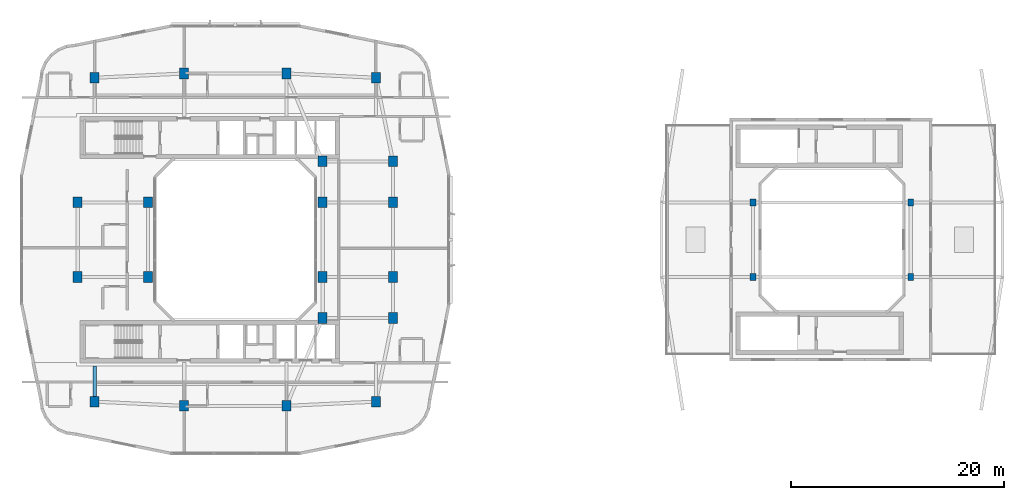
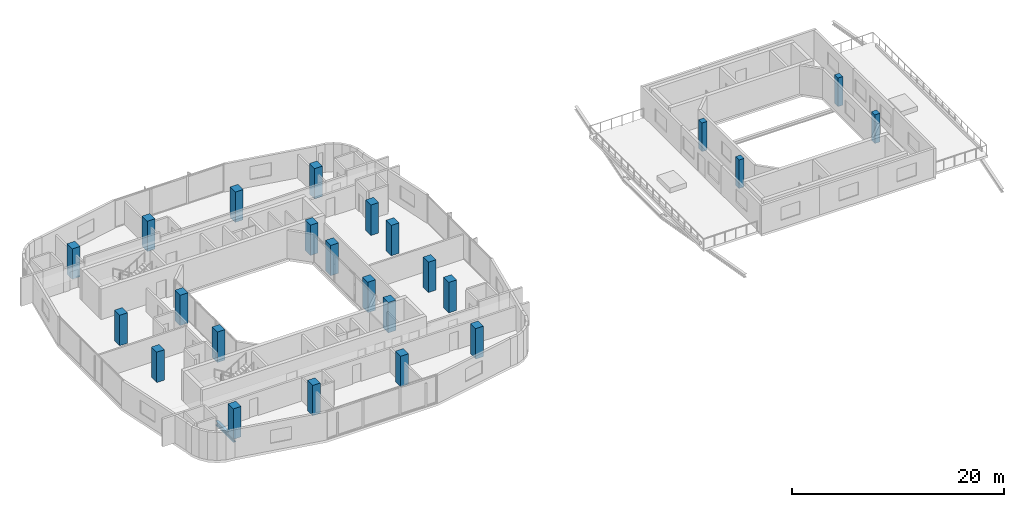
# One storey, part 1 of 18: 24 columns, 1 beam.
"""IFC4 building model written with IfcOpenShell, lengths in metres."""

import ifcopenshell
import ifcopenshell.guid

model = None  # the IFC model being written
_history = None  # IfcOwnerHistory: only IFC2X3 demands one
_inside = {}  # id of a spatial element -> (the spatial element, [elements in it])
_under = {}  # id of a project, library or spatial element -> (it, [spatial elements below it])
_declared = {}  # id of a project -> (the project, [libraries it declares])
_typed = {}  # id of a type object -> (the type object, [elements of that type])
_made_of = {}  # id of a material, layer set ... -> (it, [elements and type objects made of it])


def new_model(schema):
    """Start an empty IFC model of exactly this schema.

    Asked for "IFC4X3", IfcOpenShell would pick the latest addendum, in which some entities
    have other attributes; the version numbers below select the first issue.
    IFC2X3 requires an IfcOwnerHistory on every rooted entity: one is made here for all.
    """
    global model, _history
    if schema == "IFC4X3":
        model = ifcopenshell.file(schema_version=(4, 3, 0, 0))
    else:
        model = ifcopenshell.file(schema=schema)
    _inside.clear()
    _under.clear()
    _declared.clear()
    _typed.clear()
    _made_of.clear()
    _history = None
    if model.schema == "IFC2X3":
        org = make("IfcOrganization", Name="unknown")
        user = make(
            "IfcPersonAndOrganization",
            ThePerson=make("IfcPerson", FamilyName="unknown"),
            TheOrganization=org,
        )
        app = make(
            "IfcApplication",
            ApplicationDeveloper=org,
            Version="unknown",
            ApplicationFullName="unknown",
            ApplicationIdentifier="unknown",
        )
        _history = make(
            "IfcOwnerHistory",
            OwningUser=user,
            OwningApplication=app,
            ChangeAction="ADDED",
            CreationDate=0,
        )
    return model


def make(cls, **values):
    """One entity of the class cls with the attributes given. An attribute that is None is left unset."""
    return model.create_entity(
        cls, **{name: value for name, value in values.items() if value is not None}
    )


def rooted(cls, **values):
    """An entity with a GlobalId (a new one), such as an element, a storey or a relation."""
    return make(cls, GlobalId=ifcopenshell.guid.new(), OwnerHistory=_history, **values)


def si_unit(unit_type, name, prefix=None):
    """IfcSIUnit, for example si_unit("LENGTHUNIT", "METRE", prefix="MILLI")."""
    return make("IfcSIUnit", UnitType=unit_type, Prefix=prefix, Name=name)


def derived_unit(unit_type, elements):
    """IfcDerivedUnit: a product of units, each with its exponent."""
    return make(
        "IfcDerivedUnit",
        Elements=[
            make("IfcDerivedUnitElement", Unit=unit, Exponent=power)
            for unit, power in elements
        ],
        UnitType=unit_type,
    )


def assignment(units):
    """IfcUnitAssignment: the units of a project."""
    return None if units is None else make("IfcUnitAssignment", Units=units)


def point(xyz):
    """IfcCartesianPoint."""
    return None if xyz is None else make("IfcCartesianPoint", Coordinates=xyz)


def direction(xyz):
    """IfcDirection."""
    return None if xyz is None else make("IfcDirection", DirectionRatios=xyz)


def frame(location, z_axis=None, x_axis=None):
    """IfcAxis2Placement3D, a coordinate frame: its origin and axes. An axis left out is left unset."""
    return make(
        "IfcAxis2Placement3D",
        Location=point(location),
        Axis=direction(z_axis),
        RefDirection=direction(x_axis),
    )


def frame_2d(location, x_axis=None):
    """IfcAxis2Placement2D, a coordinate frame in the plane: its origin and x axis."""
    return make(
        "IfcAxis2Placement2D", Location=point(location), RefDirection=direction(x_axis)
    )


def origin():
    """The frame at (0, 0, 0) with its axes left unset."""
    return frame((0.0, 0.0, 0.0))


def origin_2d():
    """The frame at (0, 0) in the plane with its x axis left unset."""
    return frame_2d((0.0, 0.0))


def place(relative_to, where):
    """IfcLocalPlacement: puts the frame where relative to a parent placement (None: the world)."""
    return make(
        "IfcLocalPlacement", PlacementRelTo=relative_to, RelativePlacement=where
    )


def context(
    kind, dimensions, precision=None, world=None, true_north=None, identifier=None
):
    """IfcGeometricRepresentationContext, for example the 3D "Model" context."""
    return make(
        "IfcGeometricRepresentationContext",
        ContextIdentifier=identifier,
        ContextType=kind,
        CoordinateSpaceDimension=dimensions,
        Precision=precision,
        WorldCoordinateSystem=world,
        TrueNorth=true_north,
    )


def subcontext(parent, identifier, kind, view, scale=None):
    """IfcGeometricRepresentationSubContext, for example "Body" below "Model"."""
    return make(
        "IfcGeometricRepresentationSubContext",
        ContextIdentifier=identifier,
        ContextType=kind,
        ParentContext=parent,
        TargetScale=scale,
        TargetView=view,
    )


def project(units=None, contexts=None):
    """IfcProject with its units and contexts."""
    return rooted(
        "IfcProject",
        Name="project",
        RepresentationContexts=contexts,
        UnitsInContext=assignment(units),
    )


def spatial(cls, under=None, at=None, **own):
    """A site, building, storey or space (cls), placed at a placement, below another one or the project."""
    s = rooted(cls, ObjectPlacement=at, **own)
    if under is not None:
        _under.setdefault(under.id(), (under, []))[1].append(s)
    return s


def profile(cls, at=None, kind="AREA", **sizes):
    """A parametric profile (cls). Its sizes go by their IFC names, for example OverallWidth=200.0."""
    return make(cls, ProfileType=kind, Position=at, **sizes)


def rectangle(**sizes):
    """IfcRectangleProfileDef."""
    return profile("IfcRectangleProfileDef", **sizes)


def i_section(**sizes):
    """IfcIShapeProfileDef."""
    return profile("IfcIShapeProfileDef", **sizes)


def extrude(swept, where, along, depth):
    """IfcExtrudedAreaSolid: the profile swept, set in the frame where, extruded along a direction by depth."""
    return make(
        "IfcExtrudedAreaSolid",
        SweptArea=swept,
        Position=where,
        ExtrudedDirection=direction(along),
        Depth=depth,
    )


def shape(context_of_items, identifier, shape_type, items):
    """IfcShapeRepresentation: the items that make up one representation, for example the "Body"."""
    return make(
        "IfcShapeRepresentation",
        ContextOfItems=context_of_items,
        RepresentationIdentifier=identifier,
        RepresentationType=shape_type,
        Items=items,
    )


def material(Name=None, Category=None):
    """IfcMaterial."""
    return make("IfcMaterial", Name=Name, Category=Category)


def material_profile(
    of_material, cross_section, Name=None, Category=None, Priority=None
):
    """IfcMaterialProfile: a cross section and its material."""
    return make(
        "IfcMaterialProfile",
        Name=Name,
        Material=of_material,
        Profile=cross_section,
        Priority=Priority,
        Category=Category,
    )


def profile_set(profiles, Name=None, composite=None):
    """IfcMaterialProfileSet."""
    return make(
        "IfcMaterialProfileSet",
        Name=Name,
        MaterialProfiles=profiles,
        CompositeProfile=composite,
    )


def made_of(thing, what):
    """Note that an element or type object is made of a material, layer set ...; save() writes the relation."""
    if what is not None:
        _made_of.setdefault(what.id(), (what, []))[1].append(thing)
    return thing


def type_object(cls, material=None, **own):
    """A type object (cls), such as IfcWallType, which elements share."""
    return made_of(rooted(cls, **own), material)


def element(
    cls,
    number,
    at=None,
    inside=None,
    cuts=None,
    type_object=None,
    material=None,
    context=None,
    identifier="Body",
    shape_type=None,
    held_by="IfcProductDefinitionShape",
    body=None,
    shapes=None,
    **own,
):
    """One element of the class cls, such as IfcWall. Its Tag is "e" and its number.

    at: its placement. inside: the storey or other place that contains it. cuts: it is an
    opening in that element (IfcRelVoidsElement). A single representation is given by context,
    identifier, shape_type and body (its items); several are given by shapes. held_by: the class
    of the entity that holds the representations. save() writes the other relations.
    """
    e = rooted(cls, Tag="e%d" % number, ObjectPlacement=at, **own)
    if body is not None:
        shapes = [shape(context, identifier, shape_type, body)]
    if shapes is not None:
        e.Representation = make(held_by, Representations=shapes)
    if inside is not None:
        _inside.setdefault(inside.id(), (inside, []))[1].append(e)
    if cuts is not None:
        rooted(
            "IfcRelVoidsElement", RelatingBuildingElement=cuts, RelatedOpeningElement=e
        )
    if type_object is not None:
        _typed.setdefault(type_object.id(), (type_object, []))[1].append(e)
    return made_of(e, material)


def aggregate(whole, parts):
    """IfcRelAggregates: a whole, such as a stair, and the parts it consists of."""
    return rooted("IfcRelAggregates", RelatingObject=whole, RelatedObjects=parts)


def save(model, path):
    """Write the relations noted so far, then the file.

    IfcRelAggregates (storeys below a building ...), IfcRelContainedInSpatialStructure (elements
    in a storey), IfcRelDefinesByType, IfcRelAssociatesMaterial and IfcRelDeclares: one each for
    every whole, place, type object, material and project.
    """
    for whole, parts in _under.values():
        aggregate(whole, parts)
    for where, things in _inside.values():
        rooted(
            "IfcRelContainedInSpatialStructure",
            RelatedElements=things,
            RelatingStructure=where,
        )
    for kind, things in _typed.values():
        rooted("IfcRelDefinesByType", RelatedObjects=things, RelatingType=kind)
    for what, things in _made_of.values():
        rooted("IfcRelAssociatesMaterial", RelatedObjects=things, RelatingMaterial=what)
    for by, libraries in _declared.values():
        rooted("IfcRelDeclares", RelatingContext=by, RelatedDefinitions=libraries)
    model.write(path)


model = new_model("IFC4")

# Units and contexts
model_context = context("Model", 3, precision=1e-05, world=origin(), true_north=direction((0.0, 1.0)))
body_context = subcontext(model_context, "Body", "Model", "MODEL_VIEW")
ifc_project = project(units=[si_unit("LENGTHUNIT", "METRE"), si_unit("AREAUNIT", "SQUARE_METRE"), si_unit("VOLUMEUNIT", "CUBIC_METRE"), si_unit("PLANEANGLEUNIT", "RADIAN"), si_unit("MASSUNIT", "GRAM", prefix="KILO"), derived_unit("THERMALTRANSMITTANCEUNIT", [(si_unit("POWERUNIT", "WATT"), 1), (si_unit("LENGTHUNIT", "METRE"), -2), (si_unit("THERMODYNAMICTEMPERATUREUNIT", "KELVIN"), -1)])], contexts=[model_context])

# Site, building, storey
site_placement = place(None, origin())
site = spatial("IfcSite", under=ifc_project, at=site_placement, CompositionType="ELEMENT")
building_placement = place(site_placement, origin())
building = spatial("IfcBuilding", under=site, at=building_placement, Name="Kivonza Crest Hotel", CompositionType="ELEMENT")
storey_placement = place(building_placement, frame((0.0, 0.0, 131.0)))
storey = spatial("IfcBuildingStorey", under=building, at=storey_placement, Name="L35", CompositionType="ELEMENT", Elevation=131.0)

# Columns
ifc_material_1 = material(Name="Concrete C50/60", Category="concrete")
ifc_material_profile_1 = material_profile(ifc_material_1, rectangle(XDim=0.85009765625, YDim=1.0, at=origin_2d()), Name="RC 1000x850")
ifc_profile_set_1 = profile_set([ifc_material_profile_1], Name="Concrete C50/60")
column_type_1 = type_object("IfcColumnType", Name="CL-RC-1000x850", PredefinedType="COLUMN", material=ifc_profile_set_1)
for number, where, z_axis, x_axis, name in (
    (1, (16.199951171875, 9.39990234375, 0.0), (0.0, 0.0, 1.0), (1.0, 0.0, 0.0), "Tower T1 L35 column S1"),
    (2, (25.800048828125, 9.39990234375, 0.0), (0.0, 0.0, 1.0), (1.0, 0.0, 0.0), "Tower T1 L35 column S2"),
    (3, (16.199951171875, 40.60009765625, 0.0), (0.0, 0.0, 1.0), (1.0, 0.0, 0.0), "Tower T1 L35 column N1"),
    (4, (25.800048828125, 40.60009765625, 0.0), (0.0, 0.0, 1.0), (1.0, 0.0, 0.0), "Tower T1 L35 column N2"),
    (5, (6.199951171875, 21.5, 0.0), (0.0, 0.0, 1.0), (1.0, 0.0, 0.0), "Tower T1 L35 column W1"),
    (6, (6.199951171875, 28.5, 0.0), (0.0, 0.0, 1.0), (1.0, 0.0, 0.0), "Tower T1 L35 column W2"),
    (7, (7.800048828125, 9.800048828125, 0.0), (0.0, 0.0, 1.0), (1.0, 0.0, 0.0), "Tower T1 L35 column SW"),
    (8, (34.199951171875, 9.800048828125, 0.0), (0.0, 0.0, 1.0), (1.0, 0.0, 0.0), "Tower T1 L35 column SE"),
    (9, (34.199951171875, 40.199951171875, 0.0), (0.0, 0.0, 1.0), (1.0, 0.0, 0.0), "Tower T1 L35 column NE"),
    (10, (7.800048828125, 40.199951171875, 0.0), (0.0, 0.0, 1.0), (1.0, 0.0, 0.0), "Tower T1 L35 column NW"),
    (11, (35.800048828125, 21.5, 0.0), (0.0, 0.0, 1.0), (1.0, 0.0, 0.0), "Tower T1 L35 column E1"),
    (12, (35.800048828125, 28.5, 0.0), (0.0, 0.0, 1.0), (1.0, 0.0, 0.0), "Tower T1 L35 column E2"),
    (13, (35.800048828125, 17.64990234375, 0.0), (0.0, 0.0, 1.0), (1.0, 0.0, 0.0), "Tower T1 L35 column PSE"),
    (14, (35.800048828125, 32.35009765625, 0.0), (0.0, 0.0, 1.0), (1.0, 0.0, 0.0), "Tower T1 L35 column PNE"),
    (15, (12.800048828125, 21.5, 0.0), (0.0, 0.0, 1.0), (1.0, 0.0, 0.0), "Tower T1 L35 column WL1"),
    (16, (12.800048828125, 28.5, 0.0), (0.0, 0.0, 1.0), (1.0, 0.0, 0.0), "Tower T1 L35 column WL2"),
    (17, (29.199951171875, 17.64990234375, 0.0), (0.0, 0.0, 1.0), (1.0, 0.0, 0.0), "Tower T1 L35 column TSE"),
    (18, (29.199951171875, 32.35009765625, 0.0), (0.0, 0.0, 1.0), (1.0, 0.0, 0.0), "Tower T1 L35 column TNE"),
    (19, (29.199951171875, 21.5, 0.0), (0.0, 0.0, 1.0), (1.0, 0.0, 0.0), "Tower T1 L35 column WR1"),
    (20, (29.199951171875, 28.5, 0.0), (0.0, 0.0, 1.0), (1.0, 0.0, 0.0), "Tower T1 L35 column WR2"),
):
    element("IfcColumn", number, at=place(storey_placement, frame(where, z_axis=z_axis, x_axis=x_axis)), inside=storey, type_object=column_type_1, Name=name, PredefinedType="COLUMN", context=body_context, shape_type="SweptSolid", body=[
        extrude(rectangle(XDim=0.85009765625, YDim=1.0, at=origin_2d()), origin(), (0.0, 0.0, 1.0), 3.5),
    ])
ifc_material_profile_2 = material_profile(ifc_material_1, rectangle(XDim=0.550048828125, YDim=0.64990234375, at=origin_2d()), Name="RC 650x550")
ifc_profile_set_2 = profile_set([ifc_material_profile_2], Name="Concrete C50/60")
column_type_2 = type_object("IfcColumnType", Name="CL-RC-650x550", PredefinedType="COLUMN", material=ifc_profile_set_2)
for number, where, z_axis, x_axis, name in (
    (21, (69.60009765625, 21.5, 0.0), (0.0, 0.0, 1.0), (1.0, 0.0, 0.0), "Companion Tower T2 L35 pavilion column WL1"),
    (22, (69.60009765625, 28.5, 0.0), (0.0, 0.0, 1.0), (1.0, 0.0, 0.0), "Companion Tower T2 L35 pavilion column WL2"),
    (23, (84.39990234375, 21.5, 0.0), (0.0, 0.0, 1.0), (1.0, 0.0, 0.0), "Companion Tower T2 L35 pavilion column WR1"),
    (24, (84.39990234375, 28.5, 0.0), (0.0, 0.0, 1.0), (1.0, 0.0, 0.0), "Companion Tower T2 L35 pavilion column WR2"),
):
    element("IfcColumn", number, at=place(storey_placement, frame(where, z_axis=z_axis, x_axis=x_axis)), inside=storey, type_object=column_type_2, Name=name, PredefinedType="COLUMN", context=body_context, shape_type="SweptSolid", body=[
        extrude(rectangle(XDim=0.550048828125, YDim=0.64990234375, at=origin_2d()), origin(), (0.0, 0.0, 1.0), 3.2900390625),
    ])

# Beam
ifc_material_2 = material(Name="Steel S355", Category="steel")
ifc_material_profile_3 = material_profile(ifc_material_2, i_section(OverallWidth=0.300048828125, OverallDepth=0.5, WebThickness=0.014404296875, FlangeThickness=0.028076171875, FilletRadius=0.027099609375, at=origin_2d()), Name="HEB 500")
ifc_profile_set_3 = profile_set([ifc_material_profile_3], Name="Steel S355")
beam_type = type_object("IfcBeamType", Name="BM-HEB500", PredefinedType="BEAM", material=ifc_profile_set_3)
beam_placement = place(storey_placement, frame((7.800048828125, 9.800048828125, -0.530029296875), z_axis=(0.0, 1.0, 0.0), x_axis=(-1.0, 0.0, 0.0)))
element("IfcBeam", 25, at=beam_placement, inside=storey, type_object=beam_type, Name="Tower T1 L35 radial core girder RSW", PredefinedType="BEAM", context=body_context, shape_type="SweptSolid", body=[
    extrude(i_section(OverallWidth=0.300048828125, OverallDepth=0.5, WebThickness=0.014404296875, FlangeThickness=0.028076171875, FilletRadius=0.027099609375, at=origin_2d()), origin(), (0.0, 0.0, 1.0), 3.349853515625),
])

save(model, "model.ifc")
